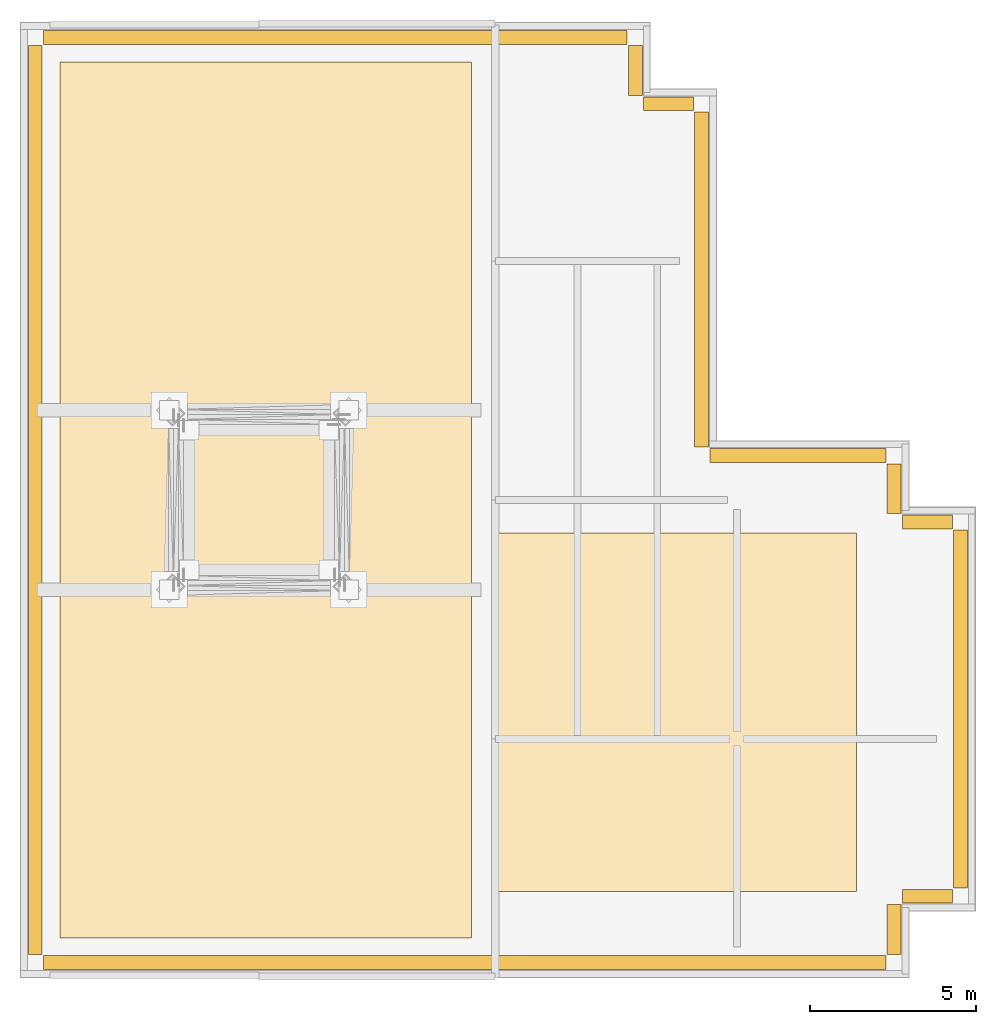
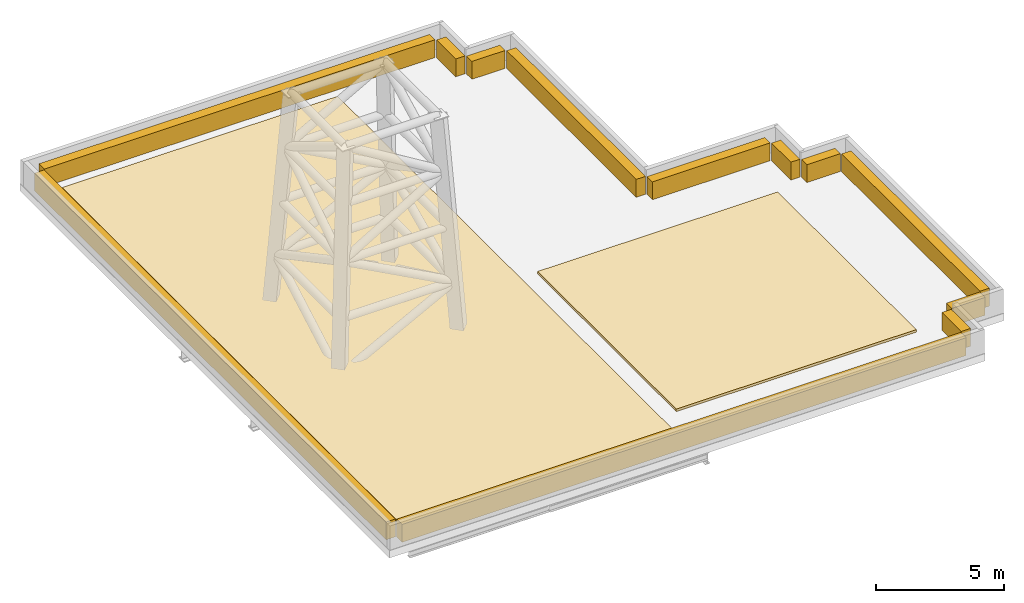
# One storey, part 3 of 3: 14 coverings.
"""IFC4 building model written with IfcOpenShell, lengths in metres."""

from ifc_helpers import new_model, si_unit, direction, frame, origin, place, context, subcontext, project, spatial, polyline, outline, extrude, material, layer, layer_set, type_object, element, save


model = new_model("IFC4")

# Units and contexts
model_context = context("Model", 3, precision=1e-05, world=origin(), true_north=direction((0.0, 1.0)))
body_context = subcontext(model_context, "Body", "Model", "MODEL_VIEW")
ifc_project = project(units=[si_unit("LENGTHUNIT", "METRE"), si_unit("AREAUNIT", "SQUARE_METRE"), si_unit("VOLUMEUNIT", "CUBIC_METRE"), si_unit("PLANEANGLEUNIT", "RADIAN"), si_unit("MASSUNIT", "GRAM", prefix="KILO")], contexts=[model_context])

# Site, building, storey
site_placement = place(None, origin())
site = spatial("IfcSite", under=ifc_project, at=site_placement, CompositionType="ELEMENT")
building_placement = place(site_placement, origin())
building = spatial("IfcBuilding", under=site, at=building_placement, Name="Cobrela Telecom Tower", CompositionType="ELEMENT")
storey_placement = place(building_placement, frame((0.0, 0.0, 305.199951171875)))
storey = spatial("IfcBuildingStorey", under=building, at=storey_placement, Name="RF", CompositionType="ELEMENT", Elevation=305.199951171875)

# Coverings
ifc_material_1 = material(Name="TPO Waterproofing Membrane")
ifc_layer_1 = layer(ifc_material_1, 0.1201171875)
ifc_layer_set_1 = layer_set([ifc_layer_1], Name="TPO Waterproofing Membrane")
covering_type_1 = type_object("IfcCoveringType", Name="COV-ROOF-120", PredefinedType="ROOFING", material=ifc_layer_set_1)
covering_1_placement = place(storey_placement, origin())
element("IfcCovering", 1, at=covering_1_placement, inside=storey, type_object=covering_type_1, Name="RF Waterproof Insulated Roof Membrane DRUM-W", PredefinedType="ROOFING", context=body_context, shape_type="SweptSolid", body=[
    extrude(outline(polyline([(1.199951171875, 8.39990234375), (13.60009765625, 8.39990234375), (13.60009765625, 34.800048828125), (1.199951171875, 34.800048828125), (1.199951171875, 8.39990234375)])), origin(), (0.0, 0.0, 1.0), 0.1201171875),
])
covering_2_placement = place(storey_placement, origin())
element("IfcCovering", 2, at=covering_2_placement, inside=storey, type_object=covering_type_1, Name="RF Waterproof Insulated Roof Membrane DRUM-E", PredefinedType="ROOFING", context=body_context, shape_type="SweptSolid", body=[
    extrude(outline(polyline([(14.39990234375, 9.800048828125), (25.199951171875, 9.800048828125), (25.199951171875, 20.60009765625), (14.39990234375, 20.60009765625), (14.39990234375, 9.800048828125)])), origin(), (0.0, 0.0, 1.0), 0.1201171875),
])
ifc_material_2 = material(Name="Planted Vegetated Landscape Soil and Foliage System")
ifc_layer_2 = layer(ifc_material_2, 0.85009765625)
ifc_layer_set_2 = layer_set([ifc_layer_2], Name="Planted Vegetated Landscape Soil and Foliage System")
covering_type_2 = type_object("IfcCoveringType", Name="PLANTER-BED-850", PredefinedType="USERDEFINED", material=ifc_layer_set_2)
covering_3_placement = place(storey_placement, origin())
element("IfcCovering", 3, at=covering_3_placement, inside=storey, type_object=covering_type_2, Name="RF Crown Roof Planted Parapet Bed 01", ObjectType="PLANTER", PredefinedType="USERDEFINED", context=body_context, shape_type="SweptSolid", body=[
    extrude(outline(polyline([(0.669921875, 7.909912109375), (0.669921875, 35.2900390625), (0.25, 35.2900390625), (0.25, 7.909912109375), (0.669921875, 7.909912109375)])), origin(), (0.0, 0.0, 1.0), 0.85009765625),
])
covering_4_placement = place(storey_placement, origin())
element("IfcCovering", 4, at=covering_4_placement, inside=storey, type_object=covering_type_2, Name="RF Crown Roof Planted Parapet Bed 02", ObjectType="PLANTER", PredefinedType="USERDEFINED", context=body_context, shape_type="SweptSolid", body=[
    extrude(outline(polyline([(0.7099609375, 35.330078125), (18.2900390625, 35.330078125), (18.2900390625, 35.75), (0.7099609375, 35.75), (0.7099609375, 35.330078125)])), origin(), (0.0, 0.0, 1.0), 0.85009765625),
])
covering_5_placement = place(storey_placement, origin())
element("IfcCovering", 5, at=covering_5_placement, inside=storey, type_object=covering_type_2, Name="RF Crown Roof Planted Parapet Bed 03", ObjectType="PLANTER", PredefinedType="USERDEFINED", context=body_context, shape_type="SweptSolid", body=[
    extrude(outline(polyline([(18.330078125, 35.2900390625), (18.330078125, 33.7900390625), (18.75, 33.7900390625), (18.75, 35.2900390625), (18.330078125, 35.2900390625)])), origin(), (0.0, 0.0, 1.0), 0.85009765625),
])
covering_6_placement = place(storey_placement, origin())
element("IfcCovering", 6, at=covering_6_placement, inside=storey, type_object=covering_type_2, Name="RF Crown Roof Planted Parapet Bed 04", ObjectType="PLANTER", PredefinedType="USERDEFINED", context=body_context, shape_type="SweptSolid", body=[
    extrude(outline(polyline([(18.7900390625, 33.330078125), (20.2900390625, 33.330078125), (20.2900390625, 33.75), (18.7900390625, 33.75), (18.7900390625, 33.330078125)])), origin(), (0.0, 0.0, 1.0), 0.85009765625),
])
covering_7_placement = place(storey_placement, origin())
element("IfcCovering", 7, at=covering_7_placement, inside=storey, type_object=covering_type_2, Name="RF Crown Roof Planted Parapet Bed 05", ObjectType="PLANTER", PredefinedType="USERDEFINED", context=body_context, shape_type="SweptSolid", body=[
    extrude(outline(polyline([(20.330078125, 33.2900390625), (20.330078125, 23.18994140625), (20.75, 23.18994140625), (20.75, 33.2900390625), (20.330078125, 33.2900390625)])), origin(), (0.0, 0.0, 1.0), 0.85009765625),
])
covering_8_placement = place(storey_placement, origin())
element("IfcCovering", 8, at=covering_8_placement, inside=storey, type_object=covering_type_2, Name="RF Crown Roof Planted Parapet Bed 06", ObjectType="PLANTER", PredefinedType="USERDEFINED", context=body_context, shape_type="SweptSolid", body=[
    extrude(outline(polyline([(20.7900390625, 22.72998046875), (26.090087890625, 22.72998046875), (26.090087890625, 23.14990234375), (20.7900390625, 23.14990234375), (20.7900390625, 22.72998046875)])), origin(), (0.0, 0.0, 1.0), 0.85009765625),
])
covering_9_placement = place(storey_placement, origin())
element("IfcCovering", 9, at=covering_9_placement, inside=storey, type_object=covering_type_2, Name="RF Crown Roof Planted Parapet Bed 07", ObjectType="PLANTER", PredefinedType="USERDEFINED", context=body_context, shape_type="SweptSolid", body=[
    extrude(outline(polyline([(26.1298828125, 22.68994140625), (26.1298828125, 21.18994140625), (26.550048828125, 21.18994140625), (26.550048828125, 22.68994140625), (26.1298828125, 22.68994140625)])), origin(), (0.0, 0.0, 1.0), 0.85009765625),
])
covering_10_placement = place(storey_placement, origin())
element("IfcCovering", 10, at=covering_10_placement, inside=storey, type_object=covering_type_2, Name="RF Crown Roof Planted Parapet Bed 08", ObjectType="PLANTER", PredefinedType="USERDEFINED", context=body_context, shape_type="SweptSolid", body=[
    extrude(outline(polyline([(26.590087890625, 20.72998046875), (28.090087890625, 20.72998046875), (28.090087890625, 21.14990234375), (26.590087890625, 21.14990234375), (26.590087890625, 20.72998046875)])), origin(), (0.0, 0.0, 1.0), 0.85009765625),
])
covering_11_placement = place(storey_placement, origin())
element("IfcCovering", 11, at=covering_11_placement, inside=storey, type_object=covering_type_2, Name="RF Crown Roof Planted Parapet Bed 09", ObjectType="PLANTER", PredefinedType="USERDEFINED", context=body_context, shape_type="SweptSolid", body=[
    extrude(outline(polyline([(28.1298828125, 20.68994140625), (28.1298828125, 9.909912109375), (28.550048828125, 9.909912109375), (28.550048828125, 20.68994140625), (28.1298828125, 20.68994140625)])), origin(), (0.0, 0.0, 1.0), 0.85009765625),
])
covering_12_placement = place(storey_placement, origin())
element("IfcCovering", 12, at=covering_12_placement, inside=storey, type_object=covering_type_2, Name="RF Crown Roof Planted Parapet Bed 10", ObjectType="PLANTER", PredefinedType="USERDEFINED", context=body_context, shape_type="SweptSolid", body=[
    extrude(outline(polyline([(28.090087890625, 9.8701171875), (26.590087890625, 9.8701171875), (26.590087890625, 9.449951171875), (28.090087890625, 9.449951171875), (28.090087890625, 9.8701171875)])), origin(), (0.0, 0.0, 1.0), 0.85009765625),
])
covering_13_placement = place(storey_placement, origin())
element("IfcCovering", 13, at=covering_13_placement, inside=storey, type_object=covering_type_2, Name="RF Crown Roof Planted Parapet Bed 11", ObjectType="PLANTER", PredefinedType="USERDEFINED", context=body_context, shape_type="SweptSolid", body=[
    extrude(outline(polyline([(26.1298828125, 9.409912109375), (26.1298828125, 7.909912109375), (26.550048828125, 7.909912109375), (26.550048828125, 9.409912109375), (26.1298828125, 9.409912109375)])), origin(), (0.0, 0.0, 1.0), 0.85009765625),
])
covering_14_placement = place(storey_placement, origin())
element("IfcCovering", 14, at=covering_14_placement, inside=storey, type_object=covering_type_2, Name="RF Crown Roof Planted Parapet Bed 12", ObjectType="PLANTER", PredefinedType="USERDEFINED", context=body_context, shape_type="SweptSolid", body=[
    extrude(outline(polyline([(26.090087890625, 7.8701171875), (0.7099609375, 7.8701171875), (0.7099609375, 7.449951171875), (26.090087890625, 7.449951171875), (26.090087890625, 7.8701171875)])), origin(), (0.0, 0.0, 1.0), 0.85009765625),
])

save(model, "model.ifc")
